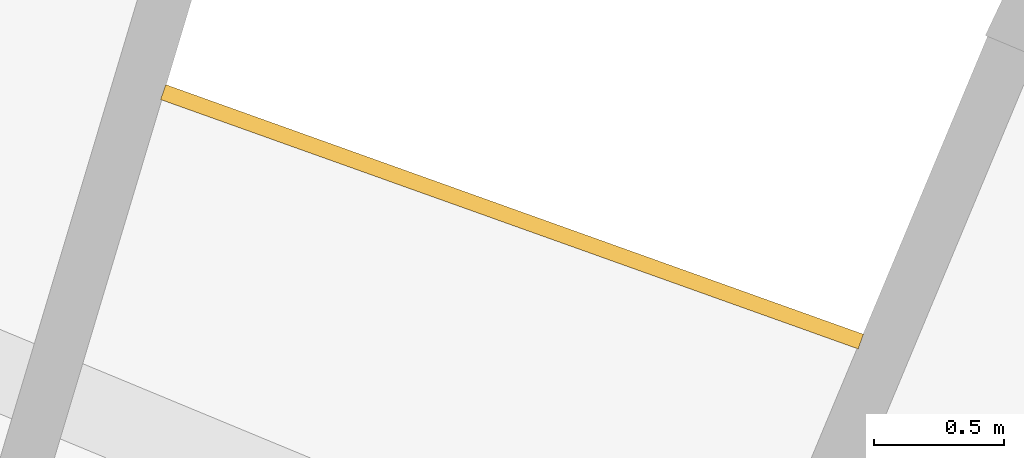
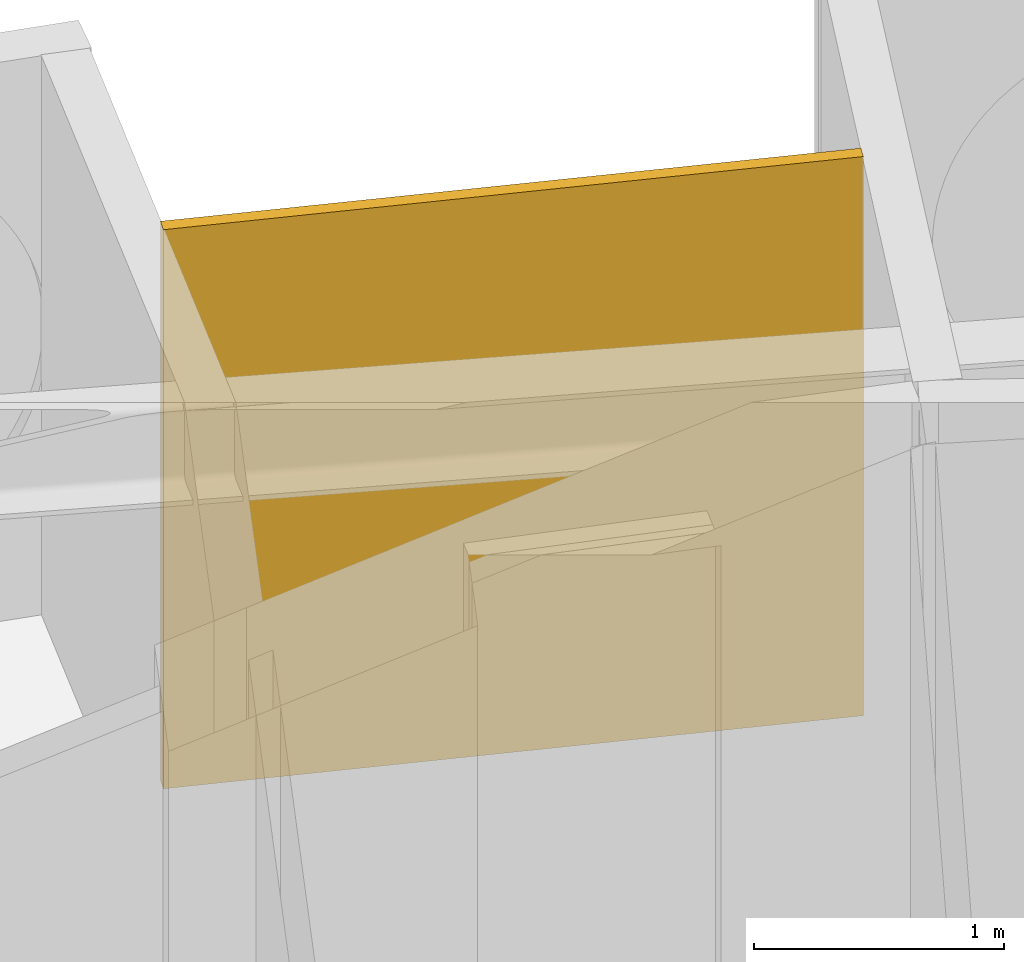
# One storey, part 27 of 27: 1 railing.
"""IFC4 building model written with IfcOpenShell, lengths in metres."""

import ifcopenshell
import ifcopenshell.guid

model = None  # the IFC model being written
_history = None  # IfcOwnerHistory: only IFC2X3 demands one
_inside = {}  # id of a spatial element -> (the spatial element, [elements in it])
_under = {}  # id of a project, library or spatial element -> (it, [spatial elements below it])
_declared = {}  # id of a project -> (the project, [libraries it declares])
_typed = {}  # id of a type object -> (the type object, [elements of that type])
_made_of = {}  # id of a material, layer set ... -> (it, [elements and type objects made of it])


def new_model(schema):
    """Start an empty IFC model of exactly this schema.

    Asked for "IFC4X3", IfcOpenShell would pick the latest addendum, in which some entities
    have other attributes; the version numbers below select the first issue.
    IFC2X3 requires an IfcOwnerHistory on every rooted entity: one is made here for all.
    """
    global model, _history
    if schema == "IFC4X3":
        model = ifcopenshell.file(schema_version=(4, 3, 0, 0))
    else:
        model = ifcopenshell.file(schema=schema)
    _inside.clear()
    _under.clear()
    _declared.clear()
    _typed.clear()
    _made_of.clear()
    _history = None
    if model.schema == "IFC2X3":
        org = make("IfcOrganization", Name="unknown")
        user = make(
            "IfcPersonAndOrganization",
            ThePerson=make("IfcPerson", FamilyName="unknown"),
            TheOrganization=org,
        )
        app = make(
            "IfcApplication",
            ApplicationDeveloper=org,
            Version="unknown",
            ApplicationFullName="unknown",
            ApplicationIdentifier="unknown",
        )
        _history = make(
            "IfcOwnerHistory",
            OwningUser=user,
            OwningApplication=app,
            ChangeAction="ADDED",
            CreationDate=0,
        )
    return model


def make(cls, **values):
    """One entity of the class cls with the attributes given. An attribute that is None is left unset."""
    return model.create_entity(
        cls, **{name: value for name, value in values.items() if value is not None}
    )


def rooted(cls, **values):
    """An entity with a GlobalId (a new one), such as an element, a storey or a relation."""
    return make(cls, GlobalId=ifcopenshell.guid.new(), OwnerHistory=_history, **values)


def si_unit(unit_type, name, prefix=None):
    """IfcSIUnit, for example si_unit("LENGTHUNIT", "METRE", prefix="MILLI")."""
    return make("IfcSIUnit", UnitType=unit_type, Prefix=prefix, Name=name)


def assignment(units):
    """IfcUnitAssignment: the units of a project."""
    return None if units is None else make("IfcUnitAssignment", Units=units)


def point(xyz):
    """IfcCartesianPoint."""
    return None if xyz is None else make("IfcCartesianPoint", Coordinates=xyz)


def direction(xyz):
    """IfcDirection."""
    return None if xyz is None else make("IfcDirection", DirectionRatios=xyz)


def frame(location, z_axis=None, x_axis=None):
    """IfcAxis2Placement3D, a coordinate frame: its origin and axes. An axis left out is left unset."""
    return make(
        "IfcAxis2Placement3D",
        Location=point(location),
        Axis=direction(z_axis),
        RefDirection=direction(x_axis),
    )


def origin():
    """The frame at (0, 0, 0) with its axes left unset."""
    return frame((0.0, 0.0, 0.0))


def place(relative_to, where):
    """IfcLocalPlacement: puts the frame where relative to a parent placement (None: the world)."""
    return make(
        "IfcLocalPlacement", PlacementRelTo=relative_to, RelativePlacement=where
    )


def context(
    kind, dimensions, precision=None, world=None, true_north=None, identifier=None
):
    """IfcGeometricRepresentationContext, for example the 3D "Model" context."""
    return make(
        "IfcGeometricRepresentationContext",
        ContextIdentifier=identifier,
        ContextType=kind,
        CoordinateSpaceDimension=dimensions,
        Precision=precision,
        WorldCoordinateSystem=world,
        TrueNorth=true_north,
    )


def subcontext(parent, identifier, kind, view, scale=None):
    """IfcGeometricRepresentationSubContext, for example "Body" below "Model"."""
    return make(
        "IfcGeometricRepresentationSubContext",
        ContextIdentifier=identifier,
        ContextType=kind,
        ParentContext=parent,
        TargetScale=scale,
        TargetView=view,
    )


def project(units=None, contexts=None):
    """IfcProject with its units and contexts."""
    return rooted(
        "IfcProject",
        Name="project",
        RepresentationContexts=contexts,
        UnitsInContext=assignment(units),
    )


def spatial(cls, under=None, at=None, **own):
    """A site, building, storey or space (cls), placed at a placement, below another one or the project."""
    s = rooted(cls, ObjectPlacement=at, **own)
    if under is not None:
        _under.setdefault(under.id(), (under, []))[1].append(s)
    return s


def polyline(points):
    """IfcPolyline through the points."""
    return make("IfcPolyline", Points=[point(p) for p in points])


def outline(outer, holes=None, kind="AREA"):
    """IfcArbitraryClosedProfileDef: a profile drawn as a closed curve; with holes, ...WithVoids."""
    if holes is None:
        return make("IfcArbitraryClosedProfileDef", ProfileType=kind, OuterCurve=outer)
    return make(
        "IfcArbitraryProfileDefWithVoids",
        ProfileType=kind,
        OuterCurve=outer,
        InnerCurves=holes,
    )


def extrude(swept, where, along, depth):
    """IfcExtrudedAreaSolid: the profile swept, set in the frame where, extruded along a direction by depth."""
    return make(
        "IfcExtrudedAreaSolid",
        SweptArea=swept,
        Position=where,
        ExtrudedDirection=direction(along),
        Depth=depth,
    )


def shape(context_of_items, identifier, shape_type, items):
    """IfcShapeRepresentation: the items that make up one representation, for example the "Body"."""
    return make(
        "IfcShapeRepresentation",
        ContextOfItems=context_of_items,
        RepresentationIdentifier=identifier,
        RepresentationType=shape_type,
        Items=items,
    )


def material(Name=None, Category=None):
    """IfcMaterial."""
    return make("IfcMaterial", Name=Name, Category=Category)


def layer(
    of_material, thickness, ventilated=None, Name=None, Category=None, Priority=None
):
    """IfcMaterialLayer: one layer of a wall or slab, of a material (None: an air gap)."""
    return make(
        "IfcMaterialLayer",
        Material=of_material,
        LayerThickness=thickness,
        IsVentilated=ventilated,
        Name=Name,
        Category=Category,
        Priority=Priority,
    )


def layer_set(layers, Name=None):
    """IfcMaterialLayerSet."""
    return make("IfcMaterialLayerSet", MaterialLayers=layers, LayerSetName=Name)


def made_of(thing, what):
    """Note that an element or type object is made of a material, layer set ...; save() writes the relation."""
    if what is not None:
        _made_of.setdefault(what.id(), (what, []))[1].append(thing)
    return thing


def type_object(cls, material=None, **own):
    """A type object (cls), such as IfcWallType, which elements share."""
    return made_of(rooted(cls, **own), material)


def element(
    cls,
    number,
    at=None,
    inside=None,
    cuts=None,
    type_object=None,
    material=None,
    context=None,
    identifier="Body",
    shape_type=None,
    held_by="IfcProductDefinitionShape",
    body=None,
    shapes=None,
    **own,
):
    """One element of the class cls, such as IfcWall. Its Tag is "e" and its number.

    at: its placement. inside: the storey or other place that contains it. cuts: it is an
    opening in that element (IfcRelVoidsElement). A single representation is given by context,
    identifier, shape_type and body (its items); several are given by shapes. held_by: the class
    of the entity that holds the representations. save() writes the other relations.
    """
    e = rooted(cls, Tag="e%d" % number, ObjectPlacement=at, **own)
    if body is not None:
        shapes = [shape(context, identifier, shape_type, body)]
    if shapes is not None:
        e.Representation = make(held_by, Representations=shapes)
    if inside is not None:
        _inside.setdefault(inside.id(), (inside, []))[1].append(e)
    if cuts is not None:
        rooted(
            "IfcRelVoidsElement", RelatingBuildingElement=cuts, RelatedOpeningElement=e
        )
    if type_object is not None:
        _typed.setdefault(type_object.id(), (type_object, []))[1].append(e)
    return made_of(e, material)


def aggregate(whole, parts):
    """IfcRelAggregates: a whole, such as a stair, and the parts it consists of."""
    return rooted("IfcRelAggregates", RelatingObject=whole, RelatedObjects=parts)


def save(model, path):
    """Write the relations noted so far, then the file.

    IfcRelAggregates (storeys below a building ...), IfcRelContainedInSpatialStructure (elements
    in a storey), IfcRelDefinesByType, IfcRelAssociatesMaterial and IfcRelDeclares: one each for
    every whole, place, type object, material and project.
    """
    for whole, parts in _under.values():
        aggregate(whole, parts)
    for where, things in _inside.values():
        rooted(
            "IfcRelContainedInSpatialStructure",
            RelatedElements=things,
            RelatingStructure=where,
        )
    for kind, things in _typed.values():
        rooted("IfcRelDefinesByType", RelatedObjects=things, RelatingType=kind)
    for what, things in _made_of.values():
        rooted("IfcRelAssociatesMaterial", RelatedObjects=things, RelatingMaterial=what)
    for by, libraries in _declared.values():
        rooted("IfcRelDeclares", RelatingContext=by, RelatedDefinitions=libraries)
    model.write(path)


model = new_model("IFC4")

# Units and contexts
model_context = context("Model", 3, precision=1e-05, world=origin(), true_north=direction((0.0, 1.0)))
body_context = subcontext(model_context, "Body", "Model", "MODEL_VIEW")
ifc_project = project(units=[si_unit("LENGTHUNIT", "METRE"), si_unit("AREAUNIT", "SQUARE_METRE"), si_unit("VOLUMEUNIT", "CUBIC_METRE"), si_unit("PLANEANGLEUNIT", "RADIAN"), si_unit("MASSUNIT", "GRAM", prefix="KILO")], contexts=[model_context])

# Site, building, storey
site_placement = place(None, origin())
site = spatial("IfcSite", under=ifc_project, at=site_placement, CompositionType="ELEMENT")
building_placement = place(site_placement, origin())
building = spatial("IfcBuilding", under=site, at=building_placement, Name="Maasbend Ring Residences", CompositionType="ELEMENT")
storey_placement = place(building_placement, frame((0.0, 0.0, 170.75)))
storey = spatial("IfcBuildingStorey", under=building, at=storey_placement, Name="L49", CompositionType="ELEMENT", Elevation=170.75)

# Railing
ifc_material = material(Name="Pale anodised perforated aluminium", Category="aluminium")
ifc_layer = layer(ifc_material, 0.06005859375)
ifc_layer_set = layer_set([ifc_layer], Name="SCREEN-P")
railing_type = type_object("IfcRailingType", Name="SCREEN-P", PredefinedType="GUARDRAIL", material=ifc_layer_set)
railing_placement = place(storey_placement, frame((0.0, 0.0, -0.030029296875)))
element("IfcRailing", 1, at=railing_placement, inside=storey, type_object=railing_type, Name="Perforated screen guard 4", PredefinedType="GUARDRAIL", context=body_context, shape_type="SweptSolid", body=[
    extrude(outline(polyline([(11.097900390625, 26.79296875), (8.41796875, 27.7509765625), (8.43798828125, 27.80810546875), (11.117919921875, 26.84912109375), (11.097900390625, 26.79296875)])), origin(), (0.0, 0.0, 1.0), 2.72998046875),
])

save(model, "model.ifc")
